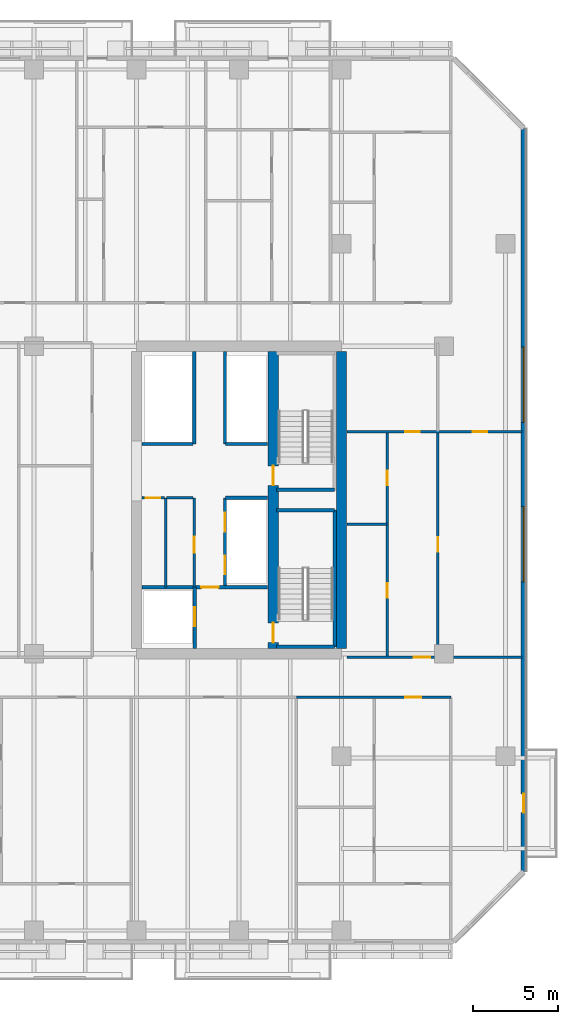
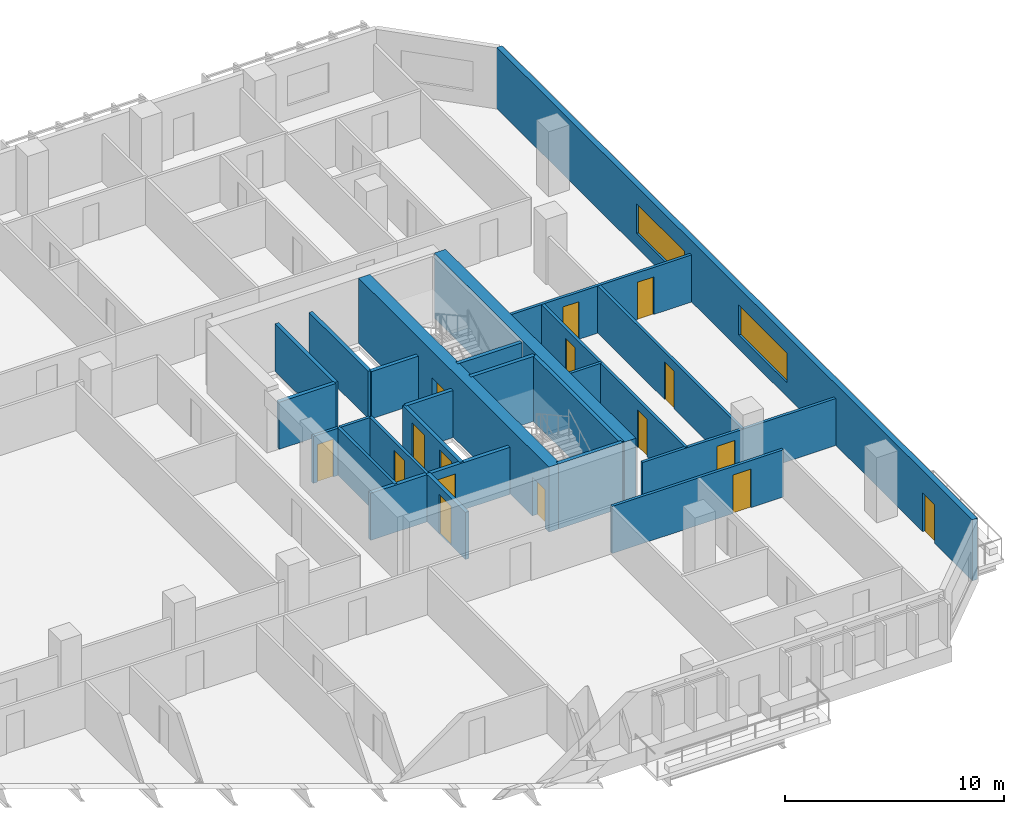
# One storey, part 15 of 26: 25 walls, 16 doors, 2 windows, 18 openings.
"""IFC4 building model written with IfcOpenShell, lengths in metres."""

from ifc_helpers import new_model, si_unit, direction, frame, frame_2d, origin, place, context, subcontext, project, spatial, rectangle, extrude, material, layer, layer_set, type_object, element, fill, save


model = new_model("IFC4")

# Units and contexts
model_context = context("Model", 3, precision=1e-05, world=origin(), true_north=direction((0.0, 1.0)))
body_context = subcontext(model_context, "Body", "Model", "MODEL_VIEW")
ifc_project = project(units=[si_unit("LENGTHUNIT", "METRE"), si_unit("AREAUNIT", "SQUARE_METRE"), si_unit("VOLUMEUNIT", "CUBIC_METRE"), si_unit("PLANEANGLEUNIT", "RADIAN"), si_unit("MASSUNIT", "GRAM", prefix="KILO")], contexts=[model_context])

# Site, building, storey
site_placement = place(None, origin())
site = spatial("IfcSite", under=ifc_project, at=site_placement, CompositionType="ELEMENT")
building_placement = place(site_placement, origin())
building = spatial("IfcBuilding", under=site, at=building_placement, Name="Tanjung Sevakor Pilgrim Tower", CompositionType="ELEMENT")
storey_placement = place(building_placement, frame((0.0, 0.0, 66.0)))
storey = spatial("IfcBuildingStorey", under=building, at=storey_placement, Name="L18", CompositionType="ELEMENT", Elevation=66.0)

# Wall
ifc_material_1 = material(Name="Concrete C60/75", Category="concrete")
ifc_layer_1 = layer(ifc_material_1, 0.60009765625)
ifc_layer_set_1 = layer_set([ifc_layer_1], Name="WALL-CW-600")
wall_type_1 = type_object("IfcWallType", Name="WALL-CW-600", PredefinedType="SHEAR", material=ifc_layer_set_1)
wall_1_placement = place(storey_placement, frame((90.0, 24.89990234375, 0.0), z_axis=(0.0, 0.0, 1.0), x_axis=(0.0, 1.0, 0.0)))
element("IfcWall", 1, at=wall_1_placement, inside=storey, type_object=wall_type_1, Name="L18 E Core Outer Shear Wall", PredefinedType="SHEAR", context=body_context, shape_type="SweptSolid", body=[
    extrude(rectangle(XDim=17.400146484375, YDim=0.60009765625, at=frame_2d((8.7001953125, 0.0))), origin(), (0.0, 0.0, 1.0), 3.6298828125),
])

# Wall, openings, doors
wall_2_placement = place(storey_placement, frame((86.0, 24.89990234375, 0.0), z_axis=(0.0, 0.0, 1.0), x_axis=(0.0, 1.0, 0.0)))
wall_2 = element("IfcWall", 2, at=wall_2_placement, inside=storey, type_object=wall_type_1, Name="L18 E Core Stair Spine Wall", PredefinedType="SHEAR", context=body_context, shape_type="SweptSolid", body=[
    extrude(rectangle(XDim=17.400146484375, YDim=0.60009765625, at=frame_2d((8.7001953125, 0.0))), origin(), (0.0, 0.0, 1.0), 3.6298828125),
])
opening_1_placement = place(wall_2_placement, frame((0.35009765625, 0.0, 0.0)))
opening_1 = element("IfcOpeningElement", 3, at=opening_1_placement, cuts=wall_2, Name="Opening ID-ST1", PredefinedType="OPENING", context=body_context, shape_type="SweptSolid", body=[
    extrude(rectangle(XDim=1.14990234375, YDim=2.14990234375, at=frame_2d((0.574951171875, 1.074951171875))), frame((0.0, 0.31005859375, 0.0), z_axis=(0.0, -1.0, 0.0), x_axis=(1.0, 0.0, 0.0)), (0.0, 0.0, 1.0), 0.6201171875),
])
opening_2_placement = place(wall_2_placement, frame((9.550048828125, 0.0, 0.0)))
opening_2 = element("IfcOpeningElement", 4, at=opening_2_placement, cuts=wall_2, Name="Opening ID-ST1", PredefinedType="OPENING", context=body_context, shape_type="SweptSolid", body=[
    extrude(rectangle(XDim=1.14990234375, YDim=2.14990234375, at=frame_2d((0.574951171875, 1.074951171875))), frame((0.0, 0.31005859375, 0.0), z_axis=(0.0, -1.0, 0.0), x_axis=(1.0, 0.0, 0.0)), (0.0, 0.0, 1.0), 0.6201171875),
])
ifc_material_2 = material(Name="Fire-Rated Steel S355J2", Category="steel")
door_type_1 = type_object("IfcDoorType", Name="DT-FIRE-1150", OperationType="NOTDEFINED", PredefinedType="DOOR", material=ifc_material_2)
door_1_placement = place(opening_1_placement, origin())
door_1 = element("IfcDoor", 5, at=door_1_placement, inside=storey, type_object=door_type_1, Name="L18 TS-E1 Stair Fire Door", OperationType="SINGLE_SWING_RIGHT", OverallHeight=2.14990234375, OverallWidth=1.14990234375, PredefinedType="DOOR", context=body_context, shape_type="SweptSolid", body=[
    extrude(rectangle(XDim=1.14990234375, YDim=2.14990234375, at=frame_2d((0.574951171875, 1.074951171875))), frame((0.0, 0.02490234375, 0.0), z_axis=(0.0, -1.0, 0.0), x_axis=(1.0, 0.0, 0.0)), (0.0, 0.0, 1.0), 0.050048828125),
])
fill(opening_1, door_1)
door_2_placement = place(opening_2_placement, origin())
door_2 = element("IfcDoor", 6, at=door_2_placement, inside=storey, type_object=door_type_1, Name="L18 TS-E2 Stair Fire Door", OperationType="SINGLE_SWING_LEFT", OverallHeight=2.14990234375, OverallWidth=1.14990234375, PredefinedType="DOOR", context=body_context, shape_type="SweptSolid", body=[
    extrude(rectangle(XDim=1.14990234375, YDim=2.14990234375, at=frame_2d((0.574951171875, 1.074951171875))), frame((0.0, 0.02490234375, 0.0), z_axis=(0.0, -1.0, 0.0), x_axis=(1.0, 0.0, 0.0)), (0.0, 0.0, 1.0), 0.050048828125),
])
fill(opening_2, door_2)

# Walls
ifc_material_3 = material(Name="Concrete C40/50", Category="concrete")
ifc_layer_2 = layer(ifc_material_3, 0.14990234375)
ifc_layer_set_2 = layer_set([ifc_layer_2], Name="WT-COMP-150")
wall_type_2 = type_object("IfcWallType", Name="WT-COMP-150", PredefinedType="SOLIDWALL", material=ifc_layer_set_2)
wall_3_placement = place(storey_placement, frame((79.699951171875, 28.5, 0.0), z_axis=(0.0, 0.0, 1.0), x_axis=(0.0, 1.0, 0.0)))
element("IfcWall", 7, at=wall_3_placement, inside=storey, type_object=wall_type_2, Name="L18 Partition IW-L18-017", PredefinedType="SOLIDWALL", context=body_context, shape_type="SweptSolid", body=[
    extrude(rectangle(XDim=5.219970703125, YDim=0.14990234375, at=frame_2d((2.60986328125, 0.0))), origin(), (0.0, 0.0, 1.0), 2.6298828125),
])
wall_4_placement = place(storey_placement, frame((79.760009765625, 33.719970703125, 0.0), z_axis=(0.0, 0.0, 1.0), x_axis=(1.0, 0.0, 0.0)))
element("IfcWall", 8, at=wall_4_placement, inside=storey, type_object=wall_type_2, Name="L18 Partition IW-L18-018", PredefinedType="SOLIDWALL", context=body_context, shape_type="SweptSolid", body=[
    extrude(rectangle(XDim=1.56005859375, YDim=0.14990234375, at=frame_2d((0.780029296875, 0.0))), origin(), (0.0, 0.0, 1.0), 2.6298828125),
])

# Wall, opening, door
wall_5_placement = place(storey_placement, frame((78.320068359375, 33.719970703125, 0.0), z_axis=(0.0, 0.0, 1.0), x_axis=(1.0, 0.0, 0.0)))
wall_5 = element("IfcWall", 9, at=wall_5_placement, inside=storey, type_object=wall_type_2, Name="L18 Partition IW-L18-019", PredefinedType="SOLIDWALL", context=body_context, shape_type="SweptSolid", body=[
    extrude(rectangle(XDim=1.31982421875, YDim=0.14990234375, at=frame_2d((0.659912109375, 0.0))), origin(), (0.0, 0.0, 1.0), 2.6298828125),
])
opening_3_placement = place(wall_5_placement, frame((0.219970703125, 0.0, 0.0)))
opening_3 = element("IfcOpeningElement", 10, at=opening_3_placement, cuts=wall_5, Name="Opening ID-FD3", PredefinedType="OPENING", context=body_context, shape_type="SweptSolid", body=[
    extrude(rectangle(XDim=0.85009765625, YDim=2.10009765625, at=frame_2d((0.425048828125, 1.050048828125))), frame((0.0, 0.0849609375, 0.0), z_axis=(0.0, -1.0, 0.0), x_axis=(1.0, 0.0, 0.0)), (0.0, 0.0, 1.0), 0.169921875),
])
ifc_material_4 = material(Name="Fire-Rated Timber", Category="wood")
door_type_2 = type_object("IfcDoorType", Name="DT-FIRE-850", OperationType="NOTDEFINED", PredefinedType="DOOR", material=ifc_material_4)
door_3_placement = place(opening_3_placement, origin())
door_3 = element("IfcDoor", 11, at=door_3_placement, inside=storey, type_object=door_type_2, Name="L18 Service Store Door", OperationType="SINGLE_SWING_RIGHT", OverallHeight=2.10009765625, OverallWidth=0.85009765625, PredefinedType="DOOR", context=body_context, shape_type="SweptSolid", body=[
    extrude(rectangle(XDim=0.85009765625, YDim=2.10009765625, at=frame_2d((0.425048828125, 1.050048828125))), frame((0.0, 0.02490234375, 0.0), z_axis=(0.0, -1.0, 0.0), x_axis=(1.0, 0.0, 0.0)), (0.0, 0.0, 1.0), 0.050048828125),
])
fill(opening_3, door_3)

wall_6_placement = place(storey_placement, frame((81.3798828125, 28.5, 0.0), z_axis=(0.0, 0.0, 1.0), x_axis=(0.0, 1.0, 0.0)))
wall_6 = element("IfcWall", 12, at=wall_6_placement, inside=storey, type_object=wall_type_2, Name="L18 Partition IW-L18-020", PredefinedType="SOLIDWALL", context=body_context, shape_type="SweptSolid", body=[
    extrude(rectangle(XDim=5.219970703125, YDim=0.14990234375, at=frame_2d((2.60986328125, 0.0))), origin(), (0.0, 0.0, 1.0), 2.6298828125),
])
opening_4_placement = place(wall_6_placement, frame((2.0, 0.0, 0.0)))
opening_4 = element("IfcOpeningElement", 13, at=opening_4_placement, cuts=wall_6, Name="Opening ID-FD2", PredefinedType="OPENING", context=body_context, shape_type="SweptSolid", body=[
    extrude(rectangle(XDim=0.949951171875, YDim=2.14990234375, at=frame_2d((0.47509765625, 1.074951171875))), frame((0.0, 0.0849609375, 0.0), z_axis=(0.0, -1.0, 0.0), x_axis=(1.0, 0.0, 0.0)), (0.0, 0.0, 1.0), 0.169921875),
])
ifc_material_5 = material(Name="Fire-Rated Timber", Category="wood")
door_type_3 = type_object("IfcDoorType", Name="DT-FIRE-950", OperationType="NOTDEFINED", PredefinedType="DOOR", material=ifc_material_5)
door_4_placement = place(opening_4_placement, origin())
door_4 = element("IfcDoor", 14, at=door_4_placement, inside=storey, type_object=door_type_3, Name="L18 Accessible WC Door", OperationType="SINGLE_SWING_LEFT", OverallHeight=2.14990234375, OverallWidth=0.949951171875, PredefinedType="DOOR", context=body_context, shape_type="SweptSolid", body=[
    extrude(rectangle(XDim=0.949951171875, YDim=2.14990234375, at=frame_2d((0.47509765625, 1.074951171875))), frame((0.0, 0.02490234375, 0.0), z_axis=(0.0, -1.0, 0.0), x_axis=(1.0, 0.0, 0.0)), (0.0, 0.0, 1.0), 0.050048828125),
])
fill(opening_4, door_4)

wall_7_placement = place(storey_placement, frame((90.320068359375, 24.39990234375, 0.0), z_axis=(0.0, 0.0, 1.0), x_axis=(1.0, 0.0, 0.0)))
wall_7 = element("IfcWall", 15, at=wall_7_placement, inside=storey, type_object=wall_type_2, Name="L18 Partition IW-L18-045", PredefinedType="SOLIDWALL", context=body_context, shape_type="SweptSolid", body=[
    extrude(rectangle(XDim=10.239990234375, YDim=0.14990234375, at=frame_2d((5.1201171875, 0.0))), origin(), (0.0, 0.0, 1.0), 2.625244140625),
])
opening_5_placement = place(wall_7_placement, frame((3.91259765625, 0.0, 0.0)))
opening_5 = element("IfcOpeningElement", 16, at=opening_5_placement, cuts=wall_7, Name="Opening ID-FD2", PredefinedType="OPENING", context=body_context, shape_type="SweptSolid", body=[
    extrude(rectangle(XDim=0.949951171875, YDim=2.14990234375, at=frame_2d((0.47509765625, 1.074951171875))), frame((0.0, 0.0849609375, 0.0), z_axis=(0.0, -1.0, 0.0), x_axis=(1.0, 0.0, 0.0)), (0.0, 0.0, 1.0), 0.169921875),
])
door_5_placement = place(opening_5_placement, origin())
door_5 = element("IfcDoor", 17, at=door_5_placement, inside=storey, type_object=door_type_3, Name="Suite Entrance", OperationType="SINGLE_SWING_LEFT", OverallHeight=2.14990234375, OverallWidth=0.949951171875, PredefinedType="DOOR", context=body_context, shape_type="SweptSolid", body=[
    extrude(rectangle(XDim=0.949951171875, YDim=2.14990234375, at=frame_2d((0.47509765625, 1.074951171875))), frame((0.0, 0.02490234375, 0.0), z_axis=(0.0, -1.0, 0.0), x_axis=(1.0, 0.0, 0.0)), (0.0, 0.0, 1.0), 0.050048828125),
])
fill(opening_5, door_5)

wall_8_placement = place(storey_placement, frame((87.35693359375, 22.050048828125, 0.0), z_axis=(0.0, 0.0, 1.0), x_axis=(1.0, 0.0, 0.0)))
wall_8 = element("IfcWall", 18, at=wall_8_placement, inside=storey, type_object=wall_type_2, Name="L18 Partition IW-L18-081", PredefinedType="SOLIDWALL", context=body_context, shape_type="SweptSolid", body=[
    extrude(rectangle(XDim=9.04296875, YDim=0.14990234375, at=frame_2d((4.521484375, 0.0))), origin(), (0.0, 0.0, 1.0), 2.6298828125),
])
opening_6_placement = place(wall_8_placement, frame((6.3681640625, 0.0, 0.0)))
opening_6 = element("IfcOpeningElement", 19, at=opening_6_placement, cuts=wall_8, Name="Opening ID-FD2", PredefinedType="OPENING", context=body_context, shape_type="SweptSolid", body=[
    extrude(rectangle(XDim=0.949951171875, YDim=2.14990234375, at=frame_2d((0.47509765625, 1.074951171875))), frame((0.0, 0.0849609375, 0.0), z_axis=(0.0, -1.0, 0.0), x_axis=(1.0, 0.0, 0.0)), (0.0, 0.0, 1.0), 0.169921875),
])
door_6_placement = place(opening_6_placement, origin())
door_6 = element("IfcDoor", 20, at=door_6_placement, inside=storey, type_object=door_type_3, Name="Residence Entrance", OperationType="SINGLE_SWING_RIGHT", OverallHeight=2.14990234375, OverallWidth=0.949951171875, PredefinedType="DOOR", context=body_context, shape_type="SweptSolid", body=[
    extrude(rectangle(XDim=0.949951171875, YDim=2.14990234375, at=frame_2d((0.47509765625, 1.074951171875))), frame((0.0, 0.02490234375, 0.0), z_axis=(0.0, -1.0, 0.0), x_axis=(1.0, 0.0, 0.0)), (0.0, 0.0, 1.0), 0.050048828125),
])
fill(opening_6, door_6)

# Wall, openings, door, windows
ifc_material_6 = material(Name="Precast concrete C45/55", Category="concrete")
ifc_layer_3 = layer(ifc_material_6, 0.280029296875)
ifc_layer_set_3 = layer_set([ifc_layer_3], Name="WT-EW-STN2")
wall_type_3 = type_object("IfcWallType", Name="WT-EW-STN2", PredefinedType="SOLIDWALL", material=ifc_layer_set_3)
wall_9_placement = place(storey_placement, frame((100.659912109375, 11.85791015625, 0.0), z_axis=(0.0, 0.0, 1.0), x_axis=(0.0, 1.0, 0.0)))
wall_9 = element("IfcWall", 21, at=wall_9_placement, inside=storey, type_object=wall_type_3, Name="L18 MAIN Exterior Wall 7", PredefinedType="SOLIDWALL", context=body_context, shape_type="SweptSolid", body=[
    extrude(rectangle(XDim=43.484130859375, YDim=0.280029296875, at=frame_2d((21.7421875, 0.0))), origin(), (0.0, 0.0, 1.0), 3.409912109375),
])
opening_7_placement = place(wall_9_placement, frame((3.44189453125, 0.0, 0.0)))
opening_7 = element("IfcOpeningElement", 22, at=opening_7_placement, cuts=wall_9, Name="Opening ED-BAL-1100", PredefinedType="OPENING", context=body_context, shape_type="SweptSolid", body=[
    extrude(rectangle(XDim=1.10009765625, YDim=2.14990234375, at=frame_2d((0.550048828125, 1.074951171875))), frame((0.0, 0.14990234375, 0.0), z_axis=(0.0, -1.0, 0.0), x_axis=(1.0, 0.0, 0.0)), (0.0, 0.0, 1.0), 0.300048828125),
])
opening_8_placement = place(wall_9_placement, frame((16.951904296875, 0.0, 0.780029296875)))
opening_8 = element("IfcOpeningElement", 23, at=opening_8_placement, cuts=wall_9, Name="Opening WN-ENDW-1660", PredefinedType="OPENING", context=body_context, shape_type="SweptSolid", body=[
    extrude(rectangle(XDim=4.39990234375, YDim=1.659912109375, at=frame_2d((2.199951171875, 0.830078125))), frame((0.0, 0.14990234375, 0.0), z_axis=(0.0, -1.0, 0.0), x_axis=(1.0, 0.0, 0.0)), (0.0, 0.0, 1.0), 0.300048828125),
])
opening_9_placement = place(wall_9_placement, frame((26.2919921875, 0.0, 0.780029296875)))
opening_9 = element("IfcOpeningElement", 24, at=opening_9_placement, cuts=wall_9, Name="Opening WN-ENDW-1660", PredefinedType="OPENING", context=body_context, shape_type="SweptSolid", body=[
    extrude(rectangle(XDim=4.39990234375, YDim=1.659912109375, at=frame_2d((2.199951171875, 0.830078125))), frame((0.0, 0.14990234375, 0.0), z_axis=(0.0, -1.0, 0.0), x_axis=(1.0, 0.0, 0.0)), (0.0, 0.0, 1.0), 0.300048828125),
])
ifc_material_7 = material(Name="Anodised Aluminium and Laminated Glass", Category="aluminium")
door_type_4 = type_object("IfcDoorType", Name="DTYP-ED-BAL-1100", OperationType="NOTDEFINED", PredefinedType="DOOR", material=ifc_material_7)
door_7_placement = place(opening_7_placement, frame((1.10009765625, 0.0, 0.0), z_axis=(0.0, 0.0, 1.0), x_axis=(-1.0, 0.0, 0.0)))
door_7 = element("IfcDoor", 25, at=door_7_placement, inside=storey, type_object=door_type_4, Name="L18 East Loggia Door MAIN-E1", OperationType="SINGLE_SWING_RIGHT", OverallHeight=2.14990234375, OverallWidth=1.10009765625, PredefinedType="DOOR", context=body_context, shape_type="SweptSolid", body=[
    extrude(rectangle(XDim=1.10009765625, YDim=2.14990234375, at=frame_2d((0.550048828125, 1.074951171875))), frame((0.0, 0.02490234375, 0.0), z_axis=(0.0, -1.0, 0.0), x_axis=(1.0, 0.0, 0.0)), (0.0, 0.0, 1.0), 0.050048828125),
])
fill(opening_7, door_7)
ifc_material_8 = material(Name="Thermally Broken Aluminium and Low-E Glass", Category="aluminium")
window_type = type_object("IfcWindowType", Name="WTYP-WN-ENDW-1660", PartitioningType="DOUBLE_PANEL_VERTICAL", PredefinedType="WINDOW", material=ifc_material_8)
window_1_placement = place(opening_8_placement, origin())
window_1 = element("IfcWindow", 26, at=window_1_placement, inside=storey, type_object=window_type, Name="L18 Facade Window 01", OverallHeight=1.659912109375, OverallWidth=4.39990234375, PartitioningType="SINGLE_PANEL", PredefinedType="WINDOW", context=body_context, shape_type="SweptSolid", body=[
    extrude(rectangle(XDim=4.39990234375, YDim=1.659912109375, at=frame_2d((2.199951171875, 0.830078125))), frame((0.0, 0.030029296875, 0.0), z_axis=(0.0, -1.0, 0.0), x_axis=(1.0, 0.0, 0.0)), (0.0, 0.0, 1.0), 0.06005859375),
])
fill(opening_8, window_1)
window_2_placement = place(opening_9_placement, origin())
window_2 = element("IfcWindow", 27, at=window_2_placement, inside=storey, type_object=window_type, Name="L18 Facade Window 02", OverallHeight=1.659912109375, OverallWidth=4.39990234375, PartitioningType="SINGLE_PANEL", PredefinedType="WINDOW", context=body_context, shape_type="SweptSolid", body=[
    extrude(rectangle(XDim=4.39990234375, YDim=1.659912109375, at=frame_2d((2.199951171875, 0.830078125))), frame((0.0, 0.030029296875, 0.0), z_axis=(0.0, -1.0, 0.0), x_axis=(1.0, 0.0, 0.0)), (0.0, 0.0, 1.0), 0.06005859375),
])
fill(opening_9, window_2)

# Walls
ifc_material_9 = material(Name="Concrete C40/50", Category="concrete")
ifc_layer_4 = layer(ifc_material_9, 0.199951171875)
ifc_layer_set_4 = layer_set([ifc_layer_4], Name="WT-FIRE-200")
wall_type_4 = type_object("IfcWallType", Name="WT-FIRE-200", PredefinedType="SOLIDWALL", material=ifc_layer_set_4)
wall_10_placement = place(storey_placement, frame((86.199951171875, 25.0, 0.0), z_axis=(0.0, 0.0, 1.0), x_axis=(1.0, 0.0, 0.0)))
element("IfcWall", 28, at=wall_10_placement, inside=storey, type_object=wall_type_4, Name="L18 TS-E1 Shaft Wall 1", PredefinedType="SOLIDWALL", context=body_context, shape_type="SweptSolid", body=[
    extrude(rectangle(XDim=3.400146484375, YDim=0.199951171875, at=frame_2d((1.7001953125, 0.0))), origin(), (0.0, 0.0, 1.0), 3.6298828125),
])
wall_11_placement = place(storey_placement, frame((89.60009765625, 25.0, 0.0), z_axis=(0.0, 0.0, 1.0), x_axis=(0.0, 1.0, 0.0)))
element("IfcWall", 29, at=wall_11_placement, inside=storey, type_object=wall_type_4, Name="L18 TS-E1 Shaft Wall 2", PredefinedType="SOLIDWALL", context=body_context, shape_type="SweptSolid", body=[
    extrude(rectangle(XDim=8.0, YDim=0.199951171875, at=frame_2d((4.0, 0.0))), origin(), (0.0, 0.0, 1.0), 3.6298828125),
])
for number, where, z_axis, x_axis, name in (
    (30, (89.60009765625, 33.0, 0.0), (0.0, 0.0, 1.0), (-1.0, 0.0, 0.0), "L18 TS-E1 Shaft Wall 3"),
    (31, (86.199951171875, 34.199951171875, 0.0), (0.0, 0.0, 1.0), (1.0, 0.0, 0.0), "L18 TS-E2 Shaft Wall 1"),
):
    element("IfcWall", number, at=place(storey_placement, frame(where, z_axis=z_axis, x_axis=x_axis)), inside=storey, type_object=wall_type_4, Name=name, PredefinedType="SOLIDWALL", context=body_context, shape_type="SweptSolid", body=[
        extrude(rectangle(XDim=3.400146484375, YDim=0.199951171875, at=frame_2d((1.7001953125, 0.0))), origin(), (0.0, 0.0, 1.0), 3.6298828125),
    ])

# Wall, opening, door
ifc_material_10 = material(Name="Concrete C40/50", Category="concrete")
ifc_layer_5 = layer(ifc_material_10, 0.199951171875)
ifc_layer_set_5 = layer_set([ifc_layer_5], Name="WT-FPRT-200")
wall_type_5 = type_object("IfcWallType", Name="WT-FPRT-200", PredefinedType="SOLIDWALL", material=ifc_layer_set_5)
wall_12_placement = place(storey_placement, frame((81.39990234375, 24.919921875, 0.0), z_axis=(0.0, 0.0, 1.0), x_axis=(0.0, 1.0, 0.0)))
wall_12 = element("IfcWall", 32, at=wall_12_placement, inside=storey, type_object=wall_type_5, Name="L18 Partition IW-L18-013", PredefinedType="SOLIDWALL", context=body_context, shape_type="SweptSolid", body=[
    extrude(rectangle(XDim=3.580078125, YDim=0.199951171875, at=frame_2d((1.7900390625, 0.0))), origin(), (0.0, 0.0, 1.0), 2.6298828125),
])
opening_10_placement = place(wall_12_placement, frame((1.300048828125, 0.0, 0.0)))
opening_10 = element("IfcOpeningElement", 33, at=opening_10_placement, cuts=wall_12, Name="Opening LD-1100", PredefinedType="OPENING", context=body_context, shape_type="SweptSolid", body=[
    extrude(rectangle(XDim=1.10009765625, YDim=2.199951171875, at=frame_2d((0.550048828125, 1.10009765625))), frame((0.0, 0.10986328125, 0.0), z_axis=(0.0, -1.0, 0.0), x_axis=(1.0, 0.0, 0.0)), (0.0, 0.0, 1.0), 0.219970703125),
])
ifc_material_11 = material(Name="Brushed Stainless Steel S355J2", Category="steel")
door_type_5 = type_object("IfcDoorType", Name="DT-LIFT-1100", OperationType="SLIDING_TO_LEFT", PredefinedType="DOOR", material=ifc_material_11)
door_8_placement = place(opening_10_placement, origin())
door_8 = element("IfcDoor", 34, at=door_8_placement, inside=storey, type_object=door_type_5, Name="LD-FL-E", OperationType="SLIDING_TO_LEFT", OverallHeight=2.199951171875, OverallWidth=1.10009765625, PredefinedType="DOOR", context=body_context, shape_type="SweptSolid", body=[
    extrude(rectangle(XDim=1.10009765625, YDim=2.199951171875, at=frame_2d((0.550048828125, 1.10009765625))), frame((0.0, 0.02490234375, 0.0), z_axis=(0.0, -1.0, 0.0), x_axis=(1.0, 0.0, 0.0)), (0.0, 0.0, 1.0), 0.050048828125),
])
fill(opening_10, door_8)

wall_13_placement = place(storey_placement, frame((78.320068359375, 28.5, 0.0), z_axis=(0.0, 0.0, 1.0), x_axis=(1.0, 0.0, 0.0)))
wall_13 = element("IfcWall", 35, at=wall_13_placement, inside=storey, type_object=wall_type_5, Name="L18 Partition IW-L18-014", PredefinedType="SOLIDWALL", context=body_context, shape_type="SweptSolid", body=[
    extrude(rectangle(XDim=7.35986328125, YDim=0.199951171875, at=frame_2d((3.679931640625, 0.0))), origin(), (0.0, 0.0, 1.0), 2.6298828125),
])
opening_11_placement = place(wall_13_placement, frame((3.47998046875, 0.0, 0.0)))
opening_11 = element("IfcOpeningElement", 36, at=opening_11_placement, cuts=wall_13, Name="Opening ID-FD1", PredefinedType="OPENING", context=body_context, shape_type="SweptSolid", body=[
    extrude(rectangle(XDim=1.0, YDim=2.14990234375, at=frame_2d((0.5, 1.074951171875))), frame((0.0, 0.10986328125, 0.0), z_axis=(0.0, -1.0, 0.0), x_axis=(1.0, 0.0, 0.0)), (0.0, 0.0, 1.0), 0.219970703125),
])
ifc_material_12 = material(Name="Fire-Rated Steel S355J2", Category="steel")
door_type_6 = type_object("IfcDoorType", Name="DT-FIRE-1000", OperationType="NOTDEFINED", PredefinedType="DOOR", material=ifc_material_12)
door_9_placement = place(opening_11_placement, origin())
door_9 = element("IfcDoor", 37, at=door_9_placement, inside=storey, type_object=door_type_6, Name="Fire Lobby Door E", OperationType="SINGLE_SWING_LEFT", OverallHeight=2.14990234375, OverallWidth=1.0, PredefinedType="DOOR", context=body_context, shape_type="SweptSolid", body=[
    extrude(rectangle(XDim=1.0, YDim=2.14990234375, at=frame_2d((0.5, 1.074951171875))), frame((0.0, 0.02490234375, 0.0), z_axis=(0.0, -1.0, 0.0), x_axis=(1.0, 0.0, 0.0)), (0.0, 0.0, 1.0), 0.050048828125),
])
fill(opening_11, door_9)

# Wall
wall_14_placement = place(storey_placement, frame((83.199951171875, 33.719970703125, 0.0), z_axis=(0.0, 0.0, 1.0), x_axis=(1.0, 0.0, 0.0)))
element("IfcWall", 38, at=wall_14_placement, inside=storey, type_object=wall_type_5, Name="L18 Partition IW-L18-015", PredefinedType="SOLIDWALL", context=body_context, shape_type="SweptSolid", body=[
    extrude(rectangle(XDim=2.47998046875, YDim=0.199951171875, at=frame_2d((1.239990234375, 0.0))), origin(), (0.0, 0.0, 1.0), 2.6298828125),
])

# Wall, openings, doors
wall_15_placement = place(storey_placement, frame((83.179931640625, 28.5, 0.0), z_axis=(0.0, 0.0, 1.0), x_axis=(0.0, 1.0, 0.0)))
wall_15 = element("IfcWall", 39, at=wall_15_placement, inside=storey, type_object=wall_type_5, Name="L18 Partition IW-L18-016", PredefinedType="SOLIDWALL", context=body_context, shape_type="SweptSolid", body=[
    extrude(rectangle(XDim=5.219970703125, YDim=0.199951171875, at=frame_2d((2.60986328125, 0.0))), origin(), (0.0, 0.0, 1.0), 2.6298828125),
])
opening_12_placement = place(wall_15_placement, frame((0.75, 0.0, 0.0)))
opening_12 = element("IfcOpeningElement", 40, at=opening_12_placement, cuts=wall_15, Name="Opening LD-1100", PredefinedType="OPENING", context=body_context, shape_type="SweptSolid", body=[
    extrude(rectangle(XDim=1.10009765625, YDim=2.199951171875, at=frame_2d((0.550048828125, 1.10009765625))), frame((0.0, 0.10986328125, 0.0), z_axis=(0.0, -1.0, 0.0), x_axis=(1.0, 0.0, 0.0)), (0.0, 0.0, 1.0), 0.219970703125),
])
opening_13_placement = place(wall_15_placement, frame((3.25, 0.0, 0.0)))
opening_13 = element("IfcOpeningElement", 41, at=opening_13_placement, cuts=wall_15, Name="Opening LD-1100", PredefinedType="OPENING", context=body_context, shape_type="SweptSolid", body=[
    extrude(rectangle(XDim=1.10009765625, YDim=2.199951171875, at=frame_2d((0.550048828125, 1.10009765625))), frame((0.0, 0.10986328125, 0.0), z_axis=(0.0, -1.0, 0.0), x_axis=(1.0, 0.0, 0.0)), (0.0, 0.0, 1.0), 0.219970703125),
])
door_10_placement = place(opening_12_placement, origin())
door_10 = element("IfcDoor", 42, at=door_10_placement, inside=storey, type_object=door_type_5, Name="LD-PLL1-E", OperationType="SLIDING_TO_LEFT", OverallHeight=2.199951171875, OverallWidth=1.10009765625, PredefinedType="DOOR", context=body_context, shape_type="SweptSolid", body=[
    extrude(rectangle(XDim=1.10009765625, YDim=2.199951171875, at=frame_2d((0.550048828125, 1.10009765625))), frame((0.0, 0.02490234375, 0.0), z_axis=(0.0, -1.0, 0.0), x_axis=(1.0, 0.0, 0.0)), (0.0, 0.0, 1.0), 0.050048828125),
])
fill(opening_12, door_10)
door_11_placement = place(opening_13_placement, origin())
door_11 = element("IfcDoor", 43, at=door_11_placement, inside=storey, type_object=door_type_5, Name="LD-PLL2-E", OperationType="SLIDING_TO_RIGHT", OverallHeight=2.199951171875, OverallWidth=1.10009765625, PredefinedType="DOOR", context=body_context, shape_type="SweptSolid", body=[
    extrude(rectangle(XDim=1.10009765625, YDim=2.199951171875, at=frame_2d((0.550048828125, 1.10009765625))), frame((0.0, 0.02490234375, 0.0), z_axis=(0.0, -1.0, 0.0), x_axis=(1.0, 0.0, 0.0)), (0.0, 0.0, 1.0), 0.050048828125),
])
fill(opening_13, door_11)

# Walls
wall_16_placement = place(storey_placement, frame((83.199951171875, 36.8798828125, 0.0), z_axis=(0.0, 0.0, 1.0), x_axis=(1.0, 0.0, 0.0)))
element("IfcWall", 44, at=wall_16_placement, inside=storey, type_object=wall_type_5, Name="L18 Partition IW-L18-021", PredefinedType="SOLIDWALL", context=body_context, shape_type="SweptSolid", body=[
    extrude(rectangle(XDim=2.47998046875, YDim=0.199951171875, at=frame_2d((1.239990234375, 0.0))), origin(), (0.0, 0.0, 1.0), 2.6298828125),
])
wall_17_placement = place(storey_placement, frame((83.179931640625, 36.8798828125, 0.0), z_axis=(0.0, 0.0, 1.0), x_axis=(0.0, 1.0, 0.0)))
element("IfcWall", 45, at=wall_17_placement, inside=storey, type_object=wall_type_5, Name="L18 Partition IW-L18-022", PredefinedType="SOLIDWALL", context=body_context, shape_type="SweptSolid", body=[
    extrude(rectangle(XDim=5.420166015625, YDim=0.199951171875, at=frame_2d((2.7099609375, 0.0))), origin(), (0.0, 0.0, 1.0), 2.6298828125),
])
wall_18_placement = place(storey_placement, frame((78.320068359375, 36.8798828125, 0.0), z_axis=(0.0, 0.0, 1.0), x_axis=(1.0, 0.0, 0.0)))
element("IfcWall", 46, at=wall_18_placement, inside=storey, type_object=wall_type_5, Name="L18 Partition IW-L18-023", PredefinedType="SOLIDWALL", context=body_context, shape_type="SweptSolid", body=[
    extrude(rectangle(XDim=3.0, YDim=0.199951171875, at=frame_2d((1.5, 0.0))), origin(), (0.0, 0.0, 1.0), 2.6298828125),
])
wall_19_placement = place(storey_placement, frame((81.3798828125, 36.8798828125, 0.0), z_axis=(0.0, 0.0, 1.0), x_axis=(0.0, 1.0, 0.0)))
element("IfcWall", 47, at=wall_19_placement, inside=storey, type_object=wall_type_5, Name="L18 Partition IW-L18-024", PredefinedType="SOLIDWALL", context=body_context, shape_type="SweptSolid", body=[
    extrude(rectangle(XDim=5.420166015625, YDim=0.199951171875, at=frame_2d((2.7099609375, 0.0))), origin(), (0.0, 0.0, 1.0), 2.6298828125),
])

# Wall, opening, door
ifc_material_13 = material(Name="Gypsum Board Partition", Category="gypsum board")
ifc_layer_6 = layer(ifc_material_13, 0.14990234375)
ifc_layer_set_6 = layer_set([ifc_layer_6], Name="WT-PART-150")
wall_type_6 = type_object("IfcWallType", Name="WT-PART-150", PredefinedType="PARTITIONING", material=ifc_layer_set_6)
wall_20_placement = place(storey_placement, frame((95.644775390625, 24.39990234375, 0.0), z_axis=(0.0, 0.0, 1.0), x_axis=(0.0, 1.0, 0.0)))
wall_20 = element("IfcWall", 48, at=wall_20_placement, inside=storey, type_object=wall_type_6, Name="L18 Partition IW-L18-040", PredefinedType="PARTITIONING", context=body_context, shape_type="SweptSolid", body=[
    extrude(rectangle(XDim=13.2001953125, YDim=0.14990234375, at=frame_2d((6.60009765625, 0.0))), origin(), (0.0, 0.0, 1.0), 2.6298828125),
])
opening_14_placement = place(wall_20_placement, frame((6.175048828125, 0.0, 0.0)))
opening_14 = element("IfcOpeningElement", 49, at=opening_14_placement, cuts=wall_20, Name="Opening ID-WC1", PredefinedType="OPENING", context=body_context, shape_type="SweptSolid", body=[
    extrude(rectangle(XDim=0.85009765625, YDim=2.10009765625, at=frame_2d((0.425048828125, 1.050048828125))), frame((0.0, 0.0849609375, 0.0), z_axis=(0.0, -1.0, 0.0), x_axis=(1.0, 0.0, 0.0)), (0.0, 0.0, 1.0), 0.169921875),
])
ifc_material_14 = material(Name="Moisture-Resistant Timber", Category="wood")
door_type_7 = type_object("IfcDoorType", Name="DT-INT-850", OperationType="NOTDEFINED", PredefinedType="DOOR", material=ifc_material_14)
door_12_placement = place(opening_14_placement, origin())
door_12 = element("IfcDoor", 50, at=door_12_placement, inside=storey, type_object=door_type_7, Name="Suite Study Room Door", OperationType="SINGLE_SWING_RIGHT", OverallHeight=2.10009765625, OverallWidth=0.85009765625, PredefinedType="DOOR", context=body_context, shape_type="SweptSolid", body=[
    extrude(rectangle(XDim=0.85009765625, YDim=2.10009765625, at=frame_2d((0.425048828125, 1.050048828125))), frame((0.0, 0.02490234375, 0.0), z_axis=(0.0, -1.0, 0.0), x_axis=(1.0, 0.0, 0.0)), (0.0, 0.0, 1.0), 0.050048828125),
])
fill(opening_14, door_12)

# Wall
wall_21_placement = place(storey_placement, frame((90.320068359375, 32.18798828125, 0.0), z_axis=(0.0, 0.0, 1.0), x_axis=(1.0, 0.0, 0.0)))
element("IfcWall", 51, at=wall_21_placement, inside=storey, type_object=wall_type_6, Name="L18 Partition IW-L18-041", PredefinedType="PARTITIONING", context=body_context, shape_type="SweptSolid", body=[
    extrude(rectangle(XDim=2.349853515625, YDim=0.14990234375, at=frame_2d((1.1748046875, 0.0))), origin(), (0.0, 0.0, 1.0), 2.6298828125),
])

# Wall, openings, doors
wall_22_placement = place(storey_placement, frame((92.669921875, 24.39990234375, 0.0), z_axis=(0.0, 0.0, 1.0), x_axis=(0.0, 1.0, 0.0)))
wall_22 = element("IfcWall", 52, at=wall_22_placement, inside=storey, type_object=wall_type_6, Name="L18 Partition IW-L18-042", PredefinedType="PARTITIONING", context=body_context, shape_type="SweptSolid", body=[
    extrude(rectangle(XDim=13.2001953125, YDim=0.14990234375, at=frame_2d((6.60009765625, 0.0))), origin(), (0.0, 0.0, 1.0), 2.6298828125),
])
opening_15_placement = place(wall_22_placement, frame((3.468994140625, 0.0, 0.0)))
opening_15 = element("IfcOpeningElement", 53, at=opening_15_placement, cuts=wall_22, Name="Opening ID-WC1", PredefinedType="OPENING", context=body_context, shape_type="SweptSolid", body=[
    extrude(rectangle(XDim=0.85009765625, YDim=2.10009765625, at=frame_2d((0.425048828125, 1.050048828125))), frame((0.0, 0.0849609375, 0.0), z_axis=(0.0, -1.0, 0.0), x_axis=(1.0, 0.0, 0.0)), (0.0, 0.0, 1.0), 0.169921875),
])
opening_16_placement = place(wall_22_placement, frame((10.069091796875, 0.0, 0.0)))
opening_16 = element("IfcOpeningElement", 54, at=opening_16_placement, cuts=wall_22, Name="Opening ID-WC1", PredefinedType="OPENING", context=body_context, shape_type="SweptSolid", body=[
    extrude(rectangle(XDim=0.85009765625, YDim=2.10009765625, at=frame_2d((0.425048828125, 1.050048828125))), frame((0.0, 0.0849609375, 0.0), z_axis=(0.0, -1.0, 0.0), x_axis=(1.0, 0.0, 0.0)), (0.0, 0.0, 1.0), 0.169921875),
])
door_13_placement = place(opening_15_placement, origin())
door_13 = element("IfcDoor", 55, at=door_13_placement, inside=storey, type_object=door_type_7, Name="Suite Kitchenette Door", OperationType="SINGLE_SWING_LEFT", OverallHeight=2.10009765625, OverallWidth=0.85009765625, PredefinedType="DOOR", context=body_context, shape_type="SweptSolid", body=[
    extrude(rectangle(XDim=0.85009765625, YDim=2.10009765625, at=frame_2d((0.425048828125, 1.050048828125))), frame((0.0, 0.02490234375, 0.0), z_axis=(0.0, -1.0, 0.0), x_axis=(1.0, 0.0, 0.0)), (0.0, 0.0, 1.0), 0.050048828125),
])
fill(opening_15, door_13)
door_14_placement = place(opening_16_placement, origin())
door_14 = element("IfcDoor", 56, at=door_14_placement, inside=storey, type_object=door_type_7, Name="Suite Bathroom Door", OperationType="SINGLE_SWING_RIGHT", OverallHeight=2.10009765625, OverallWidth=0.85009765625, PredefinedType="DOOR", context=body_context, shape_type="SweptSolid", body=[
    extrude(rectangle(XDim=0.85009765625, YDim=2.10009765625, at=frame_2d((0.425048828125, 1.050048828125))), frame((0.0, 0.02490234375, 0.0), z_axis=(0.0, -1.0, 0.0), x_axis=(1.0, 0.0, 0.0)), (0.0, 0.0, 1.0), 0.050048828125),
])
fill(opening_16, door_14)

wall_23_placement = place(storey_placement, frame((90.320068359375, 37.60009765625, 0.0), z_axis=(0.0, 0.0, 1.0), x_axis=(1.0, 0.0, 0.0)))
wall_23 = element("IfcWall", 57, at=wall_23_placement, inside=storey, type_object=wall_type_6, Name="L18 Partition IW-L18-044", PredefinedType="PARTITIONING", context=body_context, shape_type="SweptSolid", body=[
    extrude(rectangle(XDim=10.239990234375, YDim=0.14990234375, at=frame_2d((5.1201171875, 0.0))), origin(), (0.0, 0.0, 1.0), 2.6298828125),
])
opening_17_placement = place(wall_23_placement, frame((3.412353515625, 0.0, 0.0)))
opening_17 = element("IfcOpeningElement", 58, at=opening_17_placement, cuts=wall_23, Name="Opening ID-WC1", PredefinedType="OPENING", context=body_context, shape_type="SweptSolid", body=[
    extrude(rectangle(XDim=0.85009765625, YDim=2.10009765625, at=frame_2d((0.425048828125, 1.050048828125))), frame((0.0, 0.0849609375, 0.0), z_axis=(0.0, -1.0, 0.0), x_axis=(1.0, 0.0, 0.0)), (0.0, 0.0, 1.0), 0.169921875),
])
opening_18_placement = place(wall_23_placement, frame((7.357421875, 0.0, 0.0)))
opening_18 = element("IfcOpeningElement", 59, at=opening_18_placement, cuts=wall_23, Name="Opening ID-WC1", PredefinedType="OPENING", context=body_context, shape_type="SweptSolid", body=[
    extrude(rectangle(XDim=0.85009765625, YDim=2.10009765625, at=frame_2d((0.425048828125, 1.050048828125))), frame((0.0, 0.0849609375, 0.0), z_axis=(0.0, -1.0, 0.0), x_axis=(1.0, 0.0, 0.0)), (0.0, 0.0, 1.0), 0.169921875),
])
door_15_placement = place(opening_17_placement, origin())
door_15 = element("IfcDoor", 60, at=door_15_placement, inside=storey, type_object=door_type_7, Name="Suite Bedroom 1 Door", OperationType="SINGLE_SWING_LEFT", OverallHeight=2.10009765625, OverallWidth=0.85009765625, PredefinedType="DOOR", context=body_context, shape_type="SweptSolid", body=[
    extrude(rectangle(XDim=0.85009765625, YDim=2.10009765625, at=frame_2d((0.425048828125, 1.050048828125))), frame((0.0, 0.02490234375, 0.0), z_axis=(0.0, -1.0, 0.0), x_axis=(1.0, 0.0, 0.0)), (0.0, 0.0, 1.0), 0.050048828125),
])
fill(opening_17, door_15)
door_16_placement = place(opening_18_placement, origin())
door_16 = element("IfcDoor", 61, at=door_16_placement, inside=storey, type_object=door_type_7, Name="Suite Bedroom 2 Door", OperationType="SINGLE_SWING_RIGHT", OverallHeight=2.10009765625, OverallWidth=0.85009765625, PredefinedType="DOOR", context=body_context, shape_type="SweptSolid", body=[
    extrude(rectangle(XDim=0.85009765625, YDim=2.10009765625, at=frame_2d((0.425048828125, 1.050048828125))), frame((0.0, 0.02490234375, 0.0), z_axis=(0.0, -1.0, 0.0), x_axis=(1.0, 0.0, 0.0)), (0.0, 0.0, 1.0), 0.050048828125),
])
fill(opening_18, door_16)

save(model, "model.ifc")
